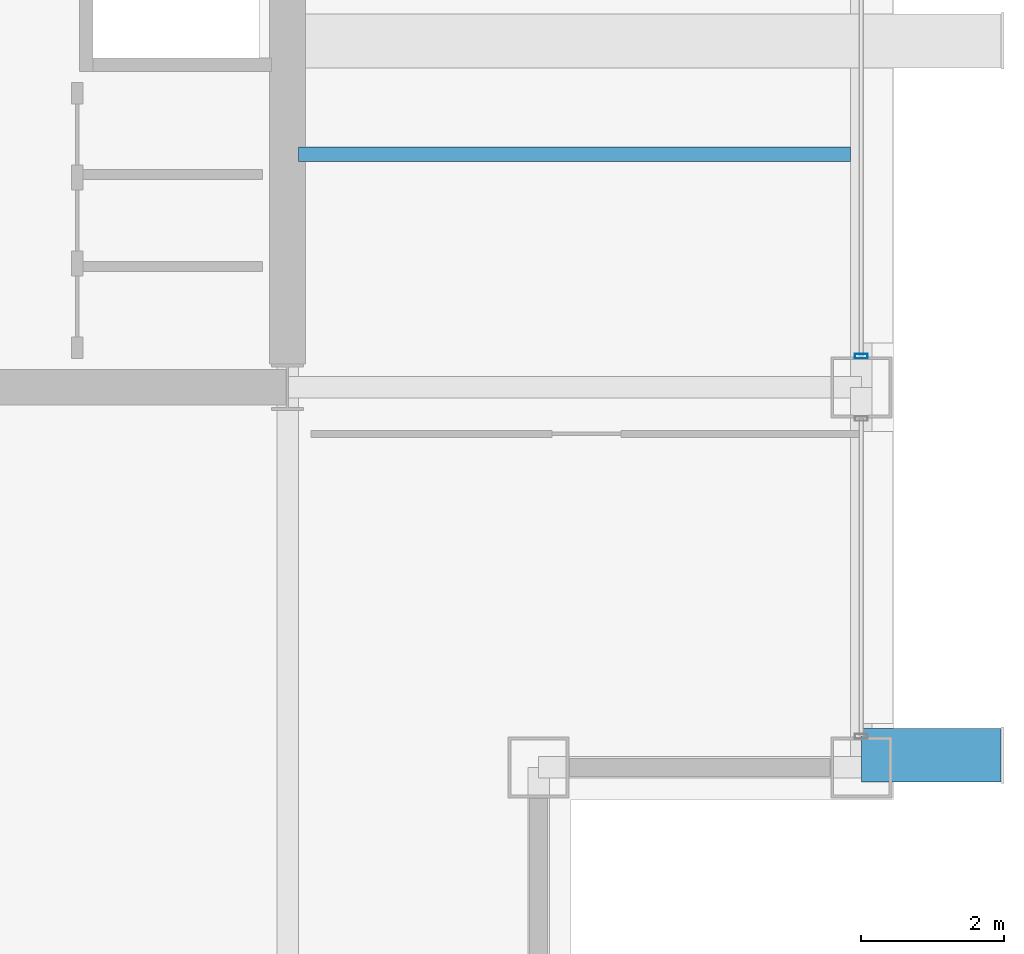
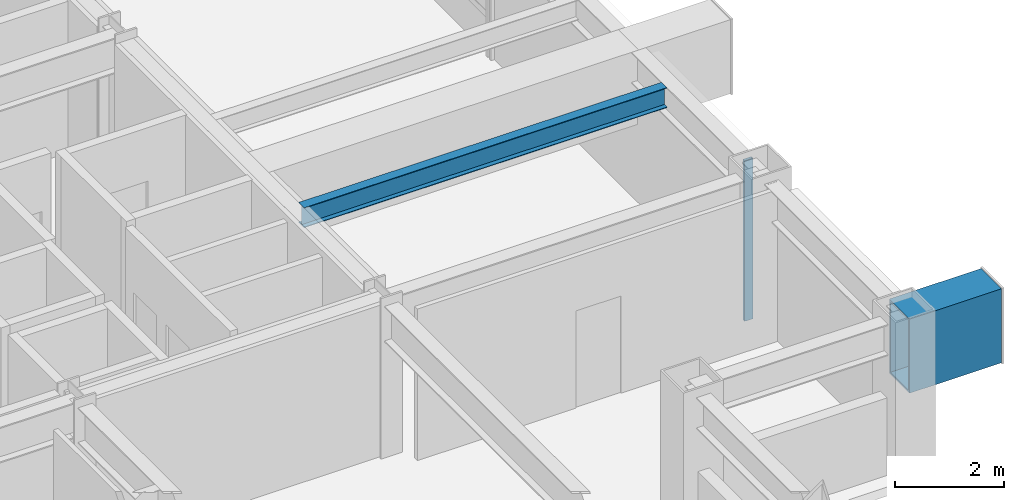
# One storey, part 12 of 28: 2 beams, 1 member, 1 element without a shape of its own.
"""IFC4 building model written with IfcOpenShell, lengths in metres."""

from ifc_helpers import new_model, si_unit, direction, frame, origin, origin_2d, place, context, subcontext, project, spatial, hollow_rectangle, i_section, extrude, material, layer, layer_set, material_profile, profile_set, type_object, element, aggregate, save


model = new_model("IFC4")

# Units and contexts
model_context = context("Model", 3, precision=1e-05, world=origin(), true_north=direction((0.0, 1.0)))
body_context = subcontext(model_context, "Body", "Model", "MODEL_VIEW")
ifc_project = project(units=[si_unit("LENGTHUNIT", "METRE"), si_unit("AREAUNIT", "SQUARE_METRE"), si_unit("VOLUMEUNIT", "CUBIC_METRE"), si_unit("PLANEANGLEUNIT", "RADIAN"), si_unit("MASSUNIT", "GRAM", prefix="KILO")], contexts=[model_context])

# Site, building, storey
site_placement = place(None, origin())
site = spatial("IfcSite", under=ifc_project, at=site_placement, CompositionType="ELEMENT")
building_placement = place(site_placement, origin())
building = spatial("IfcBuilding", under=site, at=building_placement, Name="Brelmoor Portico Tower", CompositionType="ELEMENT")
storey_placement = place(building_placement, frame((0.0, 0.0, 91.800048828125)))
storey = spatial("IfcBuildingStorey", under=building, at=storey_placement, Name="L23", CompositionType="ELEMENT", Elevation=91.800048828125)

# Beams
ifc_material_1 = material(Name="Steel Q355B", Category="steel")
ifc_material_profile_1 = material_profile(ifc_material_1, i_section(OverallWidth=0.199951171875, OverallDepth=0.449951171875, WebThickness=0.009033203125, FlangeThickness=0.013916015625, at=origin_2d()), Name="HN 450x200x9x14")
ifc_profile_set_1 = profile_set([ifc_material_profile_1], Name="Steel Q355B")
beam_type_1 = type_object("IfcBeamType", Name="BM-JS-450", PredefinedType="JOIST", material=ifc_profile_set_1)
beam_1_placement = place(storey_placement, frame((14.699951171875, -6.5, 3.175048828125), z_axis=(1.0, 0.0, 0.0), x_axis=(0.0, 1.0, 0.0)))
element("IfcBeam", 1, at=beam_1_placement, inside=storey, type_object=beam_type_1, Name="L23 Secondary Wing Joist JS-E09", PredefinedType="JOIST", context=body_context, shape_type="SweptSolid", body=[
    extrude(i_section(OverallWidth=0.199951171875, OverallDepth=0.449951171875, WebThickness=0.009033203125, FlangeThickness=0.013916015625, at=origin_2d()), origin(), (0.0, 0.0, 1.0), 7.699951171875),
])
ifc_material_profile_2 = material_profile(ifc_material_1, hollow_rectangle(XDim=0.75, YDim=1.659912109375, WallThickness=0.0419921875, at=origin_2d()), Name="BOX 750x1660x42")
ifc_profile_set_2 = profile_set([ifc_material_profile_2], Name="Steel Q355B")
beam_type_2 = type_object("IfcBeamType", Name="BM-PF-CANT", PredefinedType="BEAM", material=ifc_profile_set_2)
beam_2_placement = place(storey_placement, frame((22.550048828125, -14.8798828125, 2.570068359375), z_axis=(1.0, 0.0, 0.0), x_axis=(0.0, 1.0, 0.0)))
element("IfcBeam", 2, at=beam_2_placement, inside=storey, type_object=beam_type_2, Name="L23 Picture-Frame Outrigger Transfer Cantilever PFB-03", PredefinedType="BEAM", context=body_context, shape_type="SweptSolid", body=[
    extrude(hollow_rectangle(XDim=0.75, YDim=1.659912109375, WallThickness=0.0419921875, at=origin_2d()), origin(), (0.0, 0.0, 1.0), 1.949951171875),
])

# Curtain wall, member
ifc_material_2 = material(Name="Anodised Aluminium Alloy 6063-T6", Category="aluminium")
ifc_layer = layer(ifc_material_2, 0.179931640625)
ifc_layer_set = layer_set([ifc_layer], Name="Anodised Aluminium Alloy 6063-T6")
curtain_wall_type = type_object("IfcCurtainWallType", Name="CW-TOWER-Z2-XB", PredefinedType="NOTDEFINED", material=ifc_layer_set)
curtain_wall_placement = place(storey_placement, origin())
curtain_wall = element("IfcCurtainWall", 3, at=curtain_wall_placement, inside=storey, type_object=curtain_wall_type, Name="L23 Curtain Wall CW-L23-04-2a", PredefinedType="NOTDEFINED")
ifc_material_profile_3 = material_profile(ifc_material_2, hollow_rectangle(XDim=0.06494140625, YDim=0.179931640625, WallThickness=0.00390625, at=origin_2d()), Name="ALU MULLION 65x180")
ifc_profile_set_3 = profile_set([ifc_material_profile_3], Name="Anodised Aluminium Alloy 6063-T6")
member_type = type_object("IfcMemberType", Name="MB-CW-MULL-180", PredefinedType="MULLION", material=ifc_profile_set_3)
member_placement = place(storey_placement, frame((22.550048828125, -9.31494140625, -0.199951171875), z_axis=(0.0, 0.0, 1.0), x_axis=(0.0, 1.0, 0.0)))
member = element("IfcMember", 4, at=member_placement, type_object=member_type, Name="CW-L23-04-2a Mullion 00", PredefinedType="MULLION", context=body_context, shape_type="SweptSolid", body=[
    extrude(hollow_rectangle(XDim=0.06494140625, YDim=0.179931640625, WallThickness=0.00390625, at=origin_2d()), origin(), (0.0, 0.0, 1.0), 3.599853515625),
])
aggregate(curtain_wall, [member])

save(model, "model.ifc")
